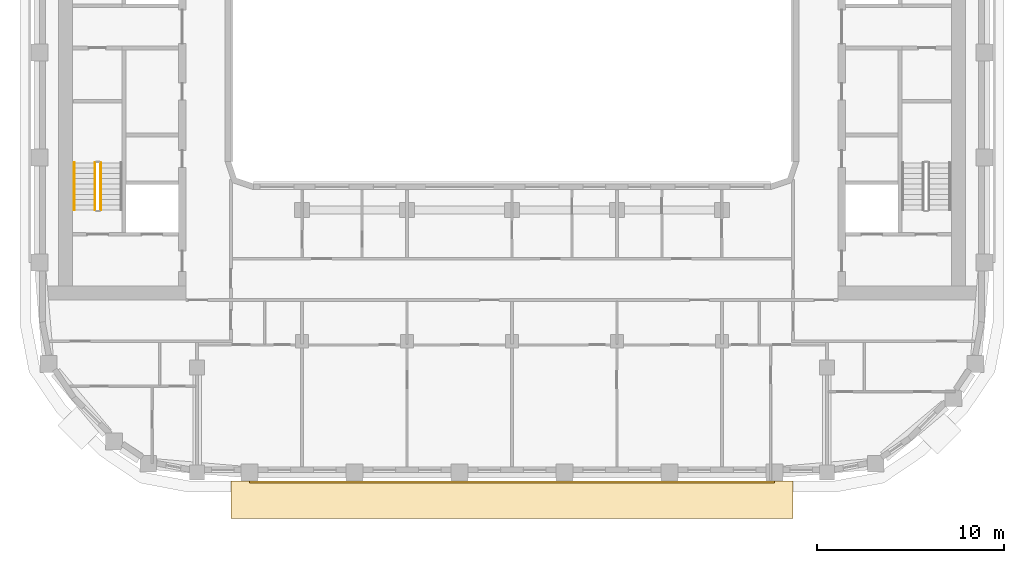
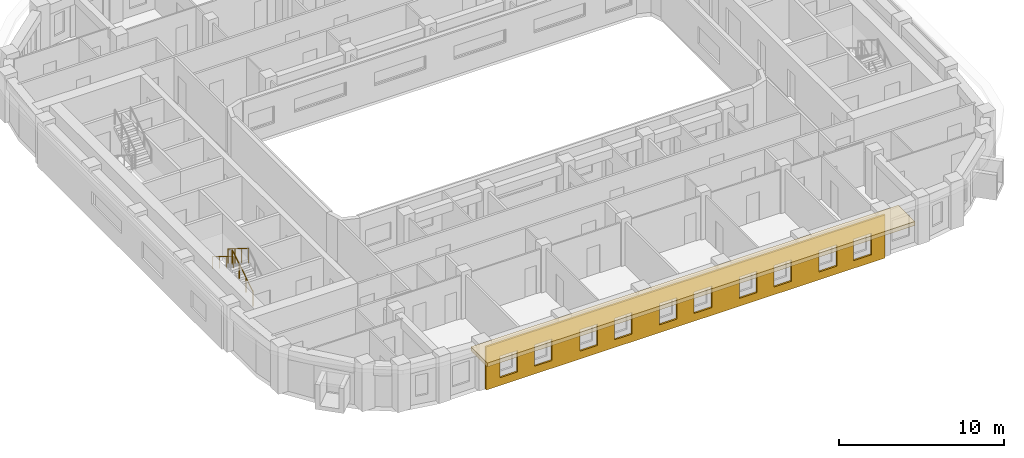
# One storey, part 11 of 21: 3 railings, 2 coverings.
"""IFC4 building model written with IfcOpenShell, lengths in metres."""

from ifc_helpers import new_model, si_unit, direction, frame, origin, origin_2d, place, context, subcontext, project, spatial, polyline, circle, outline, extrude, material, layer, layer_set, type_object, element, save


model = new_model("IFC4")

# Units and contexts
model_context = context("Model", 3, precision=1e-05, world=origin(), true_north=direction((0.0, 1.0)))
body_context = subcontext(model_context, "Body", "Model", "MODEL_VIEW")
ifc_project = project(units=[si_unit("LENGTHUNIT", "METRE"), si_unit("AREAUNIT", "SQUARE_METRE"), si_unit("VOLUMEUNIT", "CUBIC_METRE"), si_unit("PLANEANGLEUNIT", "RADIAN"), si_unit("MASSUNIT", "GRAM", prefix="KILO")], contexts=[model_context])

# Site, building, storey
site_placement = place(None, origin())
site = spatial("IfcSite", under=ifc_project, at=site_placement, CompositionType="ELEMENT")
building_placement = place(site_placement, origin())
building = spatial("IfcBuilding", under=site, at=building_placement, Name="Kiln Ring Residences", CompositionType="ELEMENT")
storey_placement = place(building_placement, frame((0.0, 0.0, 195.89990234375)))
storey = spatial("IfcBuildingStorey", under=building, at=storey_placement, Name="L50", CompositionType="ELEMENT", Elevation=195.89990234375)

# Railings
ifc_material_1 = material(Name="Stainless steel", Category="steel")
railing_type_1 = type_object("IfcRailingType", Name="CORE-STAIR-GUARD", PredefinedType="GUARDRAIL", material=ifc_material_1)
railing_1_placement = place(storey_placement, frame((-21.949951171875, -8.39990234375, 0.175048828125)))
element("IfcRailing", 1, at=railing_1_placement, inside=storey, type_object=railing_type_1, Name="L50 W-STS stair guard 1", PredefinedType="GUARDRAIL", context=body_context, shape_type="SweptSolid", body=[
    extrude(circle(Radius=0.02392578125, at=origin_2d()), frame((0.0, 0.0, 1.076171875), z_axis=(0.0, 0.848007534815, 0.529984170421), x_axis=(-1.0, 0.0, 0.0)), (0.0, 0.0, 1.0), 2.9716796875),
    extrude(circle(Radius=0.02099609375, at=origin_2d()), origin(), (0.0, 0.0, 1.0), 1.052001953125),
    extrude(circle(Radius=0.02099609375, at=origin_2d()), frame((0.0, 0.840087890625, 0.52490234375)), (0.0, 0.0, 1.0), 1.052001953125),
    extrude(circle(Radius=0.02099609375, at=origin_2d()), frame((0.0, 1.679931640625, 1.050048828125)), (0.0, 0.0, 1.0), 1.052001953125),
    extrude(circle(Radius=0.02099609375, at=origin_2d()), frame((0.0, 2.52001953125, 1.574951171875)), (0.0, 0.0, 1.0), 1.052001953125),
])
railing_2_placement = place(storey_placement, frame((-22.25, -5.8798828125, 1.925048828125)))
element("IfcRailing", 2, at=railing_2_placement, inside=storey, type_object=railing_type_1, Name="L50 W-STS stair guard 3", PredefinedType="GUARDRAIL", context=body_context, shape_type="SweptSolid", body=[
    extrude(circle(Radius=0.02392578125, at=origin_2d()), frame((0.0, 0.0, 1.076171875), z_axis=(0.0, -0.848007534815, 0.529984170421), x_axis=(1.0, 0.0, 0.0)), (0.0, 0.0, 1.0), 2.9716796875),
    extrude(circle(Radius=0.02099609375, at=origin_2d()), origin(), (0.0, 0.0, 1.0), 1.052001953125),
    extrude(circle(Radius=0.02099609375, at=origin_2d()), frame((0.0, -0.840087890625, 0.52490234375)), (0.0, 0.0, 1.0), 1.052001953125),
    extrude(circle(Radius=0.02099609375, at=origin_2d()), frame((0.0, -1.679931640625, 1.050048828125)), (0.0, 0.0, 1.0), 1.052001953125),
    extrude(circle(Radius=0.02099609375, at=origin_2d()), frame((0.0, -2.52001953125, 1.574951171875)), (0.0, 0.0, 1.0), 1.052001953125),
])
ifc_material_2 = material(Name="Stainless steel", Category="steel")
railing_type_2 = type_object("IfcRailingType", Name="CORE-STAIR-HANDRAIL", PredefinedType="HANDRAIL", material=ifc_material_2)
railing_3_placement = place(storey_placement, frame((-23.35009765625, -5.8798828125, 1.925048828125)))
element("IfcRailing", 3, at=railing_3_placement, inside=storey, type_object=railing_type_2, Name="L50 W-STS stair handrail 2", PredefinedType="HANDRAIL", context=body_context, shape_type="SweptSolid", body=[
    extrude(circle(Radius=0.02392578125, at=origin_2d()), frame((0.0, 0.0, 0.8759765625), z_axis=(0.0, -0.848007534815, 0.529984170421), x_axis=(1.0, 0.0, 0.0)), (0.0, 0.0, 1.0), 2.9716796875),
    extrude(circle(Radius=0.02099609375, at=origin_2d()), origin(), (0.0, 0.0, 1.0), 0.851806640625),
    extrude(circle(Radius=0.02099609375, at=origin_2d()), frame((0.0, -0.840087890625, 0.52490234375)), (0.0, 0.0, 1.0), 0.851806640625),
    extrude(circle(Radius=0.02099609375, at=origin_2d()), frame((0.0, -1.679931640625, 1.050048828125)), (0.0, 0.0, 1.0), 0.851806640625),
    extrude(circle(Radius=0.02099609375, at=origin_2d()), frame((0.0, -2.52001953125, 1.574951171875)), (0.0, 0.0, 1.0), 0.851806640625),
])

# Coverings
ifc_material_3 = material(Name="Brick masonry, dark clay brick", Category="masonry")
ifc_layer_1 = layer(ifc_material_3, 0.1201171875)
ifc_layer_set_1 = layer_set([ifc_layer_1], Name="RAINSCREEN PANEL 120")
covering_type_1 = type_object("IfcCoveringType", Name="RAINSCREEN PANEL 120", PredefinedType="CLADDING", material=ifc_layer_set_1)
covering_1_placement = place(storey_placement, frame((-14.0, -22.909912109375, 0.0), z_axis=(0.0, 0.0, 1.0), x_axis=(1.0, 0.0, 0.0)))
element("IfcCovering", 4, at=covering_1_placement, inside=storey, type_object=covering_type_1, Name="RAINSCREEN L50", PredefinedType="CLADDING", context=body_context, shape_type="SweptSolid", body=[
    extrude(outline(polyline([(0.0, 0.0), (28.0, 0.0), (28.0, 3.2001953125), (0.0, 3.2001953125), (0.0, 0.0)]), holes=[polyline([(0.967529296875, 0.580078125), (2.20751953125, 0.580078125), (2.20751953125, 2.170166015625), (0.967529296875, 2.170166015625), (0.967529296875, 0.580078125)]), polyline([(3.392578125, 0.580078125), (4.632568359375, 0.580078125), (4.632568359375, 2.170166015625), (3.392578125, 2.170166015625), (3.392578125, 0.580078125)]), polyline([(6.5673828125, 0.580078125), (7.8076171875, 0.580078125), (7.8076171875, 2.170166015625), (6.5673828125, 2.170166015625), (6.5673828125, 0.580078125)]), polyline([(8.992431640625, 2.170166015625), (8.992431640625, 0.580078125), (10.232421875, 0.580078125), (10.232421875, 2.170166015625), (8.992431640625, 2.170166015625)]), polyline([(12.16748046875, 2.170166015625), (12.16748046875, 0.580078125), (13.407470703125, 0.580078125), (13.407470703125, 2.170166015625), (12.16748046875, 2.170166015625)]), polyline([(14.592529296875, 0.580078125), (15.83251953125, 0.580078125), (15.83251953125, 2.170166015625), (14.592529296875, 2.170166015625), (14.592529296875, 0.580078125)]), polyline([(17.767578125, 0.580078125), (19.007568359375, 0.580078125), (19.007568359375, 2.170166015625), (17.767578125, 2.170166015625), (17.767578125, 0.580078125)]), polyline([(20.1923828125, 0.580078125), (21.4326171875, 0.580078125), (21.4326171875, 2.170166015625), (20.1923828125, 2.170166015625), (20.1923828125, 0.580078125)]), polyline([(23.367431640625, 2.170166015625), (23.367431640625, 0.580078125), (24.607421875, 0.580078125), (24.607421875, 2.170166015625), (23.367431640625, 2.170166015625)]), polyline([(25.79248046875, 2.170166015625), (25.79248046875, 0.580078125), (27.032470703125, 0.580078125), (27.032470703125, 2.170166015625), (25.79248046875, 2.170166015625)])]), frame((0.0, 0.06005859375, 0.0), z_axis=(0.0, -1.0, 0.0), x_axis=(1.0, 0.0, 0.0)), (0.0, 0.0, 1.0), 0.1201171875),
])
ifc_material_4 = material(Name="Black powder-coated steel", Category="steel")
ifc_layer_2 = layer(ifc_material_4, 0.300048828125)
ifc_layer_set_2 = layer_set([ifc_layer_2], Name="SUNSHADE BAND 2000")
covering_type_2 = type_object("IfcCoveringType", Name="SUNSHADE BAND 2000", PredefinedType="CLADDING", material=ifc_layer_set_2)
covering_2_placement = place(storey_placement, frame((0.0, 0.0, 3.2001953125)))
element("IfcCovering", 5, at=covering_2_placement, inside=storey, type_object=covering_type_2, Name="SUNSHADE BAND L50", PredefinedType="CLADDING", context=body_context, shape_type="SweptSolid", body=[
    extrude(outline(polyline([(-15.0, -24.85009765625), (15.0, -24.85009765625), (15.0, -22.85009765625), (-15.0, -22.85009765625), (-15.0, -24.85009765625)])), origin(), (0.0, 0.0, 1.0), 0.2998046875),
])

save(model, "model.ifc")
